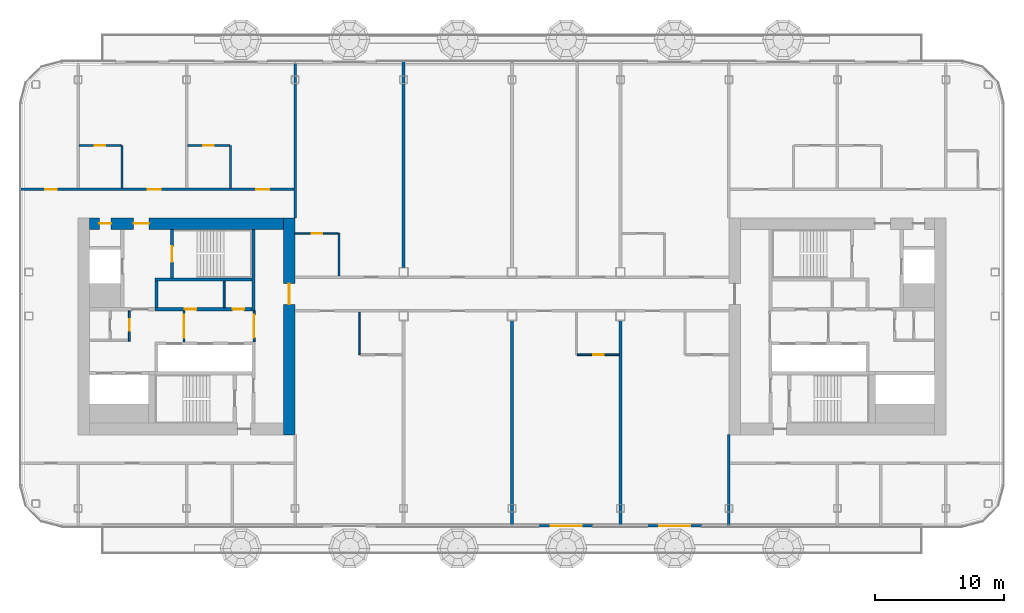
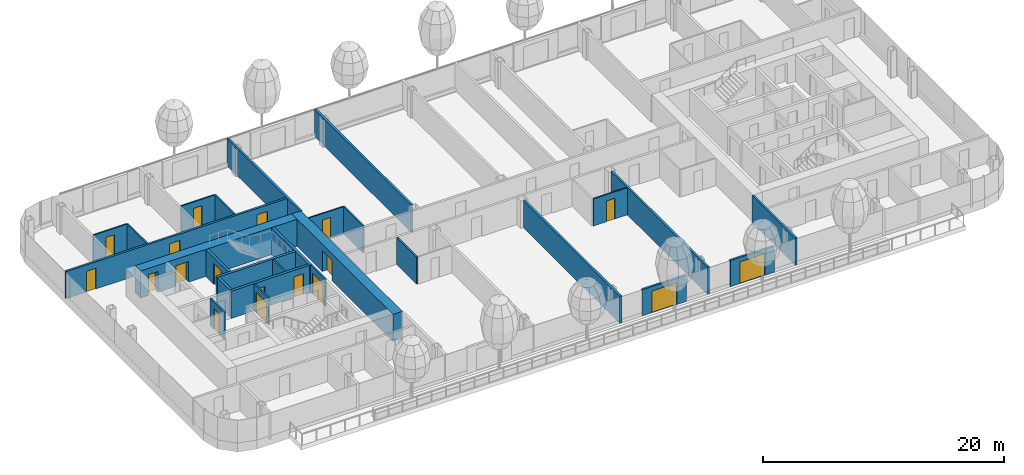
# One storey, part 12 of 28: 27 walls, 18 doors, 18 openings, 1 element without a shape of its own.
"""IFC4 building model written with IfcOpenShell, lengths in metres."""

from ifc_helpers import new_model, si_unit, direction, frame, frame_2d, origin, place, context, subcontext, project, spatial, rectangle, extrude, material, layer, layer_set, type_object, element, fill, aggregate, save


model = new_model("IFC4")

# Units and contexts
model_context = context("Model", 3, precision=1e-05, world=origin(), true_north=direction((0.0, 1.0)))
body_context = subcontext(model_context, "Body", "Model", "MODEL_VIEW")
ifc_project = project(units=[si_unit("LENGTHUNIT", "METRE"), si_unit("AREAUNIT", "SQUARE_METRE"), si_unit("VOLUMEUNIT", "CUBIC_METRE"), si_unit("PLANEANGLEUNIT", "RADIAN"), si_unit("MASSUNIT", "GRAM", prefix="KILO")], contexts=[model_context])

# Site, building, storey
site_placement = place(None, origin())
site = spatial("IfcSite", under=ifc_project, at=site_placement, CompositionType="ELEMENT")
building_placement = place(site_placement, origin())
building = spatial("IfcBuilding", under=site, at=building_placement, Name="Hakoniwa Tower and Hamabe Station Hall", CompositionType="ELEMENT")
storey_placement = place(building_placement, frame((0.0, 0.0, 218.60009765625)))
storey = spatial("IfcBuildingStorey", under=building, at=storey_placement, Name="L62", CompositionType="ELEMENT", Elevation=218.60009765625)

# Wall, opening, door
ifc_material_1 = material(Name="Gypsum board partition", Category="gypsum")
ifc_layer_1 = layer(ifc_material_1, 0.125)
ifc_layer_set_1 = layer_set([ifc_layer_1], Name="Bathroom Partition 125")
wall_type_1 = type_object("IfcWallType", Name="Bathroom Partition 125", PredefinedType="PARTITIONING", material=ifc_layer_set_1)
wall_1_placement = place(storey_placement, frame((5.0625, -2.199951171875, 0.0), z_axis=(0.0, 0.0, 1.0), x_axis=(1.0, 0.0, 0.0)))
wall_1 = element("IfcWall", 1, at=wall_1_placement, inside=storey, type_object=wall_type_1, Name="GW-L62-004", PredefinedType="PARTITIONING", context=body_context, shape_type="SweptSolid", body=[
    extrude(rectangle(XDim=3.237548828125, YDim=0.125, at=frame_2d((1.61865234375, 0.0))), origin(), (0.0, 0.0, 1.0), 2.75),
])
opening_1_placement = place(wall_1_placement, frame((1.237548828125, 0.0, 0.0)))
opening_1 = element("IfcOpeningElement", 2, at=opening_1_placement, cuts=wall_1, Name="Opening GD-G4A2-10", PredefinedType="OPENING", context=body_context, shape_type="SweptSolid", body=[
    extrude(rectangle(XDim=0.800048828125, YDim=2.10009765625, at=frame_2d((0.39990234375, 1.050048828125))), frame((0.0, 0.072509765625, 0.0), z_axis=(0.0, -1.0, 0.0), x_axis=(1.0, 0.0, 0.0)), (0.0, 0.0, 1.0), 0.14501953125),
])
ifc_material_2 = material(Name="Timber door leaf", Category="wood")
door_type_1 = type_object("IfcDoorType", Name="Bathroom Door 800", OperationType="SINGLE_SWING_LEFT", PredefinedType="DOOR", material=ifc_material_2)
door_1_placement = place(opening_1_placement, origin())
door_1 = element("IfcDoor", 3, at=door_1_placement, inside=storey, type_object=door_type_1, Name="Door GD-G4A2-10", OperationType="SINGLE_SWING_RIGHT", OverallHeight=2.10009765625, OverallWidth=0.800048828125, PredefinedType="DOOR", context=body_context, shape_type="SweptSolid", body=[
    extrude(rectangle(XDim=0.800048828125, YDim=2.10009765625, at=frame_2d((0.39990234375, 1.050048828125))), frame((0.0, 0.02490234375, 0.0), z_axis=(0.0, -1.0, 0.0), x_axis=(1.0, 0.0, 0.0)), (0.0, 0.0, 1.0), 0.050048828125),
])
fill(opening_1, door_1)

wall_2_placement = place(storey_placement, frame((-16.81005859375, 7.199951171875, 0.0), z_axis=(0.0, 0.0, 1.0), x_axis=(1.0, 0.0, 0.0)))
wall_2 = element("IfcWall", 4, at=wall_2_placement, inside=storey, type_object=wall_type_1, Name="GW-L62-008", PredefinedType="PARTITIONING", context=body_context, shape_type="SweptSolid", body=[
    extrude(rectangle(XDim=3.34765625, YDim=0.125, at=frame_2d((1.673828125, 0.0))), origin(), (0.0, 0.0, 1.0), 2.75),
])
opening_2_placement = place(wall_2_placement, frame((1.31005859375, 0.0, 0.0)))
opening_2 = element("IfcOpeningElement", 5, at=opening_2_placement, cuts=wall_2, Name="Opening GD-G4A2-21", PredefinedType="OPENING", context=body_context, shape_type="SweptSolid", body=[
    extrude(rectangle(XDim=0.800048828125, YDim=2.10009765625, at=frame_2d((0.39990234375, 1.050048828125))), frame((0.0, 0.072509765625, 0.0), z_axis=(0.0, -1.0, 0.0), x_axis=(1.0, 0.0, 0.0)), (0.0, 0.0, 1.0), 0.14501953125),
])
door_2_placement = place(opening_2_placement, origin())
door_2 = element("IfcDoor", 6, at=door_2_placement, inside=storey, type_object=door_type_1, Name="Door GD-G4A2-21", OperationType="SINGLE_SWING_RIGHT", OverallHeight=2.10009765625, OverallWidth=0.800048828125, PredefinedType="DOOR", context=body_context, shape_type="SweptSolid", body=[
    extrude(rectangle(XDim=0.800048828125, YDim=2.10009765625, at=frame_2d((0.39990234375, 1.050048828125))), frame((0.0, 0.02490234375, 0.0), z_axis=(0.0, -1.0, 0.0), x_axis=(1.0, 0.0, 0.0)), (0.0, 0.0, 1.0), 0.050048828125),
])
fill(opening_2, door_2)

wall_3_placement = place(storey_placement, frame((-33.5, 14.0, 0.0), z_axis=(0.0, 0.0, 1.0), x_axis=(1.0, 0.0, 0.0)))
wall_3 = element("IfcWall", 7, at=wall_3_placement, inside=storey, type_object=wall_type_1, Name="GW-L62-013", PredefinedType="PARTITIONING", context=body_context, shape_type="SweptSolid", body=[
    extrude(rectangle(XDim=3.237548828125, YDim=0.125, at=frame_2d((1.61865234375, 0.0))), origin(), (0.0, 0.0, 1.0), 2.75),
])
opening_3_placement = place(wall_3_placement, frame((1.199951171875, 0.0, 0.0)))
opening_3 = element("IfcOpeningElement", 8, at=opening_3_placement, cuts=wall_3, Name="Opening GD-G4A2-29", PredefinedType="OPENING", context=body_context, shape_type="SweptSolid", body=[
    extrude(rectangle(XDim=0.800048828125, YDim=2.10009765625, at=frame_2d((0.39990234375, 1.050048828125))), frame((0.0, 0.072509765625, 0.0), z_axis=(0.0, -1.0, 0.0), x_axis=(1.0, 0.0, 0.0)), (0.0, 0.0, 1.0), 0.14501953125),
])
door_3_placement = place(opening_3_placement, origin())
door_3 = element("IfcDoor", 9, at=door_3_placement, inside=storey, type_object=door_type_1, Name="Door GD-G4A2-29", OperationType="SINGLE_SWING_LEFT", OverallHeight=2.10009765625, OverallWidth=0.800048828125, PredefinedType="DOOR", context=body_context, shape_type="SweptSolid", body=[
    extrude(rectangle(XDim=0.800048828125, YDim=2.10009765625, at=frame_2d((0.39990234375, 1.050048828125))), frame((0.0, 0.02490234375, 0.0), z_axis=(0.0, -1.0, 0.0), x_axis=(1.0, 0.0, 0.0)), (0.0, 0.0, 1.0), 0.050048828125),
])
fill(opening_3, door_3)

wall_4_placement = place(storey_placement, frame((-25.10009765625, 14.0, 0.0), z_axis=(0.0, 0.0, 1.0), x_axis=(1.0, 0.0, 0.0)))
wall_4 = element("IfcWall", 10, at=wall_4_placement, inside=storey, type_object=wall_type_1, Name="GW-L62-014", PredefinedType="PARTITIONING", context=body_context, shape_type="SweptSolid", body=[
    extrude(rectangle(XDim=3.237548828125, YDim=0.125, at=frame_2d((1.61865234375, 0.0))), origin(), (0.0, 0.0, 1.0), 2.75),
])
opening_4_placement = place(wall_4_placement, frame((1.199951171875, 0.0, 0.0)))
opening_4 = element("IfcOpeningElement", 11, at=opening_4_placement, cuts=wall_4, Name="Opening GD-G4A2-30", PredefinedType="OPENING", context=body_context, shape_type="SweptSolid", body=[
    extrude(rectangle(XDim=0.800048828125, YDim=2.10009765625, at=frame_2d((0.39990234375, 1.050048828125))), frame((0.0, 0.072509765625, 0.0), z_axis=(0.0, -1.0, 0.0), x_axis=(1.0, 0.0, 0.0)), (0.0, 0.0, 1.0), 0.14501953125),
])
door_4_placement = place(opening_4_placement, origin())
door_4 = element("IfcDoor", 12, at=door_4_placement, inside=storey, type_object=door_type_1, Name="Door GD-G4A2-30", OperationType="SINGLE_SWING_LEFT", OverallHeight=2.10009765625, OverallWidth=0.800048828125, PredefinedType="DOOR", context=body_context, shape_type="SweptSolid", body=[
    extrude(rectangle(XDim=0.800048828125, YDim=2.10009765625, at=frame_2d((0.39990234375, 1.050048828125))), frame((0.0, 0.02490234375, 0.0), z_axis=(0.0, -1.0, 0.0), x_axis=(1.0, 0.0, 0.0)), (0.0, 0.0, 1.0), 0.050048828125),
])
fill(opening_4, door_4)

# Walls
for number, where, z_axis, x_axis, name in (
    (13, (-30.199951171875, 10.699951171875, 0.0), (0.0, 0.0, 1.0), (0.0, 1.0, 0.0), "GW-L62-018"),
    (14, (-21.800048828125, 10.699951171875, 0.0), (0.0, 0.0, 1.0), (0.0, 1.0, 0.0), "GW-L62-021"),
    (15, (-13.39990234375, 3.89990234375, 0.0), (0.0, 0.0, 1.0), (0.0, 1.0, 0.0), "GW-L62-025"),
    (16, (-11.800048828125, -2.199951171875, 0.0), (0.0, 0.0, 1.0), (0.0, 1.0, 0.0), "GW-L62-026"),
):
    element("IfcWall", number, at=place(storey_placement, frame(where, z_axis=z_axis, x_axis=x_axis)), inside=storey, type_object=wall_type_1, Name=name, PredefinedType="PARTITIONING", context=body_context, shape_type="SweptSolid", body=[
        extrude(rectangle(XDim=3.300048828125, YDim=0.125, at=frame_2d((1.64990234375, 0.0))), origin(), (0.0, 0.0, 1.0), 2.75),
    ])

# Wall, opening, door
ifc_material_3 = material(Name="Gypsum board partition")
ifc_layer_2 = layer(ifc_material_3, 0.14990234375)
ifc_layer_set_2 = layer_set([ifc_layer_2], Name="CORE PARTITION 150 EI 60")
wall_type_2 = type_object("IfcWallType", Name="CORE PARTITION 150 EI 60", PredefinedType="PARTITIONING", material=ifc_layer_set_2)
wall_5_placement = place(storey_placement, frame((-19.97509765625, -1.199951171875, 0.0), z_axis=(0.0, 0.0, 1.0), x_axis=(0.0, 1.0, 0.0)))
wall_5 = element("IfcWall", 17, at=wall_5_placement, inside=storey, type_object=wall_type_2, Name="Core partition PL0 west", PredefinedType="PARTITIONING", context=body_context, shape_type="SweptSolid", body=[
    extrude(rectangle(XDim=2.39990234375, YDim=0.14990234375, at=frame_2d((1.199951171875, 0.0))), origin(), (0.0, 0.0, 1.0), 2.75),
])
opening_5_placement = place(wall_5_placement, frame((0.300048828125, 0.0, 0.0)))
opening_5 = element("IfcOpeningElement", 18, at=opening_5_placement, cuts=wall_5, Name="Opening CD-W-LP0-18", PredefinedType="OPENING", context=body_context, shape_type="SweptSolid", body=[
    extrude(rectangle(XDim=1.800048828125, YDim=2.10009765625, at=frame_2d((0.89990234375, 1.050048828125))), frame((0.0, 0.0849609375, 0.0), z_axis=(0.0, -1.0, 0.0), x_axis=(1.0, 0.0, 0.0)), (0.0, 0.0, 1.0), 0.169921875),
])
ifc_material_4 = material(Name="Steel fire door", Category="steel")
door_type_2 = type_object("IfcDoorType", Name="CORE DOOR 1800 FD60", OperationType="DOUBLE_DOOR_SINGLE_SWING", PredefinedType="DOOR", material=ifc_material_4)
door_5_placement = place(opening_5_placement, origin())
door_5 = element("IfcDoor", 19, at=door_5_placement, inside=storey, type_object=door_type_2, Name="Lift lobby partition door", OperationType="DOUBLE_DOOR_SINGLE_SWING", OverallHeight=2.10009765625, OverallWidth=1.800048828125, PredefinedType="DOOR", context=body_context, shape_type="SweptSolid", body=[
    extrude(rectangle(XDim=1.800048828125, YDim=2.10009765625, at=frame_2d((0.89990234375, 1.050048828125))), frame((0.0, 0.02490234375, 0.0), z_axis=(0.0, -1.0, 0.0), x_axis=(1.0, 0.0, 0.0)), (0.0, 0.0, 1.0), 0.050048828125),
])
fill(opening_5, door_5)

wall_6_placement = place(storey_placement, frame((-25.39990234375, -1.199951171875, 0.0), z_axis=(0.0, 0.0, 1.0), x_axis=(0.0, 1.0, 0.0)))
wall_6 = element("IfcWall", 20, at=wall_6_placement, inside=storey, type_object=wall_type_2, Name="Core partition PL1 west", PredefinedType="PARTITIONING", context=body_context, shape_type="SweptSolid", body=[
    extrude(rectangle(XDim=2.39990234375, YDim=0.14990234375, at=frame_2d((1.199951171875, 0.0))), origin(), (0.0, 0.0, 1.0), 2.75),
])
opening_6_placement = place(wall_6_placement, frame((0.300048828125, 0.0, 0.0)))
opening_6 = element("IfcOpeningElement", 21, at=opening_6_placement, cuts=wall_6, Name="Opening CD-W-LP1-18", PredefinedType="OPENING", context=body_context, shape_type="SweptSolid", body=[
    extrude(rectangle(XDim=1.800048828125, YDim=2.10009765625, at=frame_2d((0.89990234375, 1.050048828125))), frame((0.0, 0.0849609375, 0.0), z_axis=(0.0, -1.0, 0.0), x_axis=(1.0, 0.0, 0.0)), (0.0, 0.0, 1.0), 0.169921875),
])
door_6_placement = place(opening_6_placement, origin())
door_6 = element("IfcDoor", 22, at=door_6_placement, inside=storey, type_object=door_type_2, Name="Lift lobby partition door", OperationType="DOUBLE_DOOR_SINGLE_SWING", OverallHeight=2.10009765625, OverallWidth=1.800048828125, PredefinedType="DOOR", context=body_context, shape_type="SweptSolid", body=[
    extrude(rectangle(XDim=1.800048828125, YDim=2.10009765625, at=frame_2d((0.89990234375, 1.050048828125))), frame((0.0, 0.02490234375, 0.0), z_axis=(0.0, -1.0, 0.0), x_axis=(1.0, 0.0, 0.0)), (0.0, 0.0, 1.0), 0.050048828125),
])
fill(opening_6, door_6)

wall_7_placement = place(storey_placement, frame((-29.625, -1.14990234375, 0.0), z_axis=(0.0, 0.0, 1.0), x_axis=(0.0, 1.0, 0.0)))
wall_7 = element("IfcWall", 23, at=wall_7_placement, inside=storey, type_object=wall_type_2, Name="Core partition PW0 west", PredefinedType="PARTITIONING", context=body_context, shape_type="SweptSolid", body=[
    extrude(rectangle(XDim=2.349853515625, YDim=0.14990234375, at=frame_2d((1.1748046875, 0.0))), origin(), (0.0, 0.0, 1.0), 2.75),
])
opening_7_placement = place(wall_7_placement, frame((0.800048828125, 0.0, 0.0)))
opening_7 = element("IfcOpeningElement", 24, at=opening_7_placement, cuts=wall_7, Name="Opening CD-W-RM1-9", PredefinedType="OPENING", context=body_context, shape_type="SweptSolid", body=[
    extrude(rectangle(XDim=0.89990234375, YDim=2.10009765625, at=frame_2d((0.449951171875, 1.050048828125))), frame((0.0, 0.0849609375, 0.0), z_axis=(0.0, -1.0, 0.0), x_axis=(1.0, 0.0, 0.0)), (0.0, 0.0, 1.0), 0.169921875),
])
ifc_material_5 = material(Name="Steel fire door", Category="steel")
door_type_3 = type_object("IfcDoorType", Name="CORE DOOR 900 FD30", OperationType="NOTDEFINED", PredefinedType="DOOR", material=ifc_material_5)
door_7_placement = place(opening_7_placement, origin())
door_7 = element("IfcDoor", 25, at=door_7_placement, inside=storey, type_object=door_type_3, Name="Store room door", OperationType="SINGLE_SWING_RIGHT", OverallHeight=2.10009765625, OverallWidth=0.89990234375, PredefinedType="DOOR", context=body_context, shape_type="SweptSolid", body=[
    extrude(rectangle(XDim=0.89990234375, YDim=2.10009765625, at=frame_2d((0.449951171875, 1.050048828125))), frame((0.0, 0.02490234375, 0.0), z_axis=(0.0, -1.0, 0.0), x_axis=(1.0, 0.0, 0.0)), (0.0, 0.0, 1.0), 0.050048828125),
])
fill(opening_7, door_7)

# Wall
wall_8_placement = place(storey_placement, frame((-22.300048828125, 1.449951171875, 0.0), z_axis=(0.0, 0.0, 1.0), x_axis=(0.0, 1.0, 0.0)))
element("IfcWall", 26, at=wall_8_placement, inside=storey, type_object=wall_type_2, Name="Core partition PFLR0 west", PredefinedType="PARTITIONING", context=body_context, shape_type="SweptSolid", body=[
    extrude(rectangle(XDim=2.050048828125, YDim=0.14990234375, at=frame_2d((1.02490234375, 0.0))), origin(), (0.0, 0.0, 1.0), 2.75),
])

# Wall, opening, door
ifc_material_6 = material(Name="Concrete C60", Category="concrete")
ifc_layer_3 = layer(ifc_material_6, 0.89990234375)
ifc_layer_set_3 = layer_set([ifc_layer_3], Name="CORE WALL 900 C60")
wall_type_3 = type_object("IfcWallType", Name="CORE WALL 900 C60", PredefinedType="SHEAR", material=ifc_layer_set_3)
wall_9_placement = place(storey_placement, frame((-17.25, -8.39990234375, 0.0), z_axis=(0.0, 0.0, 1.0), x_axis=(0.0, 1.0, 0.0)))
wall_9 = element("IfcWall", 27, at=wall_9_placement, inside=storey, type_object=wall_type_3, Name="Core wall INNER west", PredefinedType="SHEAR", context=body_context, shape_type="SweptSolid", body=[
    extrude(rectangle(XDim=16.7998046875, YDim=0.89990234375, at=frame_2d((8.39990234375, 0.0))), origin(), (0.0, 0.0, 1.0), 2.75),
])
opening_8_placement = place(wall_9_placement, frame((10.10009765625, 0.0, 0.0)))
opening_8 = element("IfcOpeningElement", 28, at=opening_8_placement, cuts=wall_9, Name="Opening CD-W-IN1-16", PredefinedType="OPENING", context=body_context, shape_type="SweptSolid", body=[
    extrude(rectangle(XDim=1.60009765625, YDim=2.10009765625, at=frame_2d((0.800048828125, 1.050048828125))), frame((0.0, 0.4599609375, 0.0), z_axis=(0.0, -1.0, 0.0), x_axis=(1.0, 0.0, 0.0)), (0.0, 0.0, 1.0), 0.919921875),
])
ifc_material_7 = material(Name="Steel fire door", Category="steel")
door_type_4 = type_object("IfcDoorType", Name="CORE DOOR 1600 FD60", OperationType="DOUBLE_DOOR_SINGLE_SWING", PredefinedType="DOOR", material=ifc_material_7)
door_8_placement = place(opening_8_placement, origin())
door_8 = element("IfcDoor", 29, at=door_8_placement, inside=storey, type_object=door_type_4, Name="Lift lobby door", OperationType="DOUBLE_DOOR_SINGLE_SWING", OverallHeight=2.10009765625, OverallWidth=1.60009765625, PredefinedType="DOOR", context=body_context, shape_type="SweptSolid", body=[
    extrude(rectangle(XDim=1.60009765625, YDim=2.10009765625, at=frame_2d((0.800048828125, 1.050048828125))), frame((0.0, 0.02490234375, 0.0), z_axis=(0.0, -1.0, 0.0), x_axis=(1.0, 0.0, 0.0)), (0.0, 0.0, 1.0), 0.050048828125),
])
fill(opening_8, door_8)

# Wall, openings, doors
wall_10_placement = place(storey_placement, frame((-32.699951171875, 7.949951171875, 0.0), z_axis=(0.0, 0.0, 1.0), x_axis=(1.0, 0.0, 0.0)))
wall_10 = element("IfcWall", 30, at=wall_10_placement, inside=storey, type_object=wall_type_3, Name="Core wall NORTH west", PredefinedType="SHEAR", context=body_context, shape_type="SweptSolid", body=[
    extrude(rectangle(XDim=15.0, YDim=0.89990234375, at=frame_2d((7.5, 0.0))), origin(), (0.0, 0.0, 1.0), 2.75),
])
opening_9_placement = place(wall_10_placement, frame((3.39990234375, 0.0, 0.0)))
opening_9 = element("IfcOpeningElement", 31, at=opening_9_placement, cuts=wall_10, Name="Opening CD-W-FN1-12", PredefinedType="OPENING", context=body_context, shape_type="SweptSolid", body=[
    extrude(rectangle(XDim=1.199951171875, YDim=2.10009765625, at=frame_2d((0.60009765625, 1.050048828125))), frame((0.0, 0.4599609375, 0.0), z_axis=(0.0, -1.0, 0.0), x_axis=(1.0, 0.0, 0.0)), (0.0, 0.0, 1.0), 0.919921875),
])
opening_10_placement = place(wall_10_placement, frame((0.75, 0.0, 0.0)))
opening_10 = element("IfcOpeningElement", 32, at=opening_10_placement, cuts=wall_10, Name="Opening CD-W-FN2-9", PredefinedType="OPENING", context=body_context, shape_type="SweptSolid", body=[
    extrude(rectangle(XDim=0.89990234375, YDim=2.10009765625, at=frame_2d((0.449951171875, 1.050048828125))), frame((0.0, 0.4599609375, 0.0), z_axis=(0.0, -1.0, 0.0), x_axis=(1.0, 0.0, 0.0)), (0.0, 0.0, 1.0), 0.919921875),
])
ifc_material_8 = material(Name="Steel fire door", Category="steel")
door_type_5 = type_object("IfcDoorType", Name="CORE DOOR 1200 FD60", OperationType="DOUBLE_DOOR_SINGLE_SWING", PredefinedType="DOOR", material=ifc_material_8)
door_9_placement = place(opening_9_placement, origin())
door_9 = element("IfcDoor", 33, at=door_9_placement, inside=storey, type_object=door_type_5, Name="Stair vestibule door to the fire-fighting lobby", OperationType="DOUBLE_DOOR_SINGLE_SWING", OverallHeight=2.10009765625, OverallWidth=1.199951171875, PredefinedType="DOOR", context=body_context, shape_type="SweptSolid", body=[
    extrude(rectangle(XDim=1.199951171875, YDim=2.10009765625, at=frame_2d((0.60009765625, 1.050048828125))), frame((0.0, 0.02490234375, 0.0), z_axis=(0.0, -1.0, 0.0), x_axis=(1.0, 0.0, 0.0)), (0.0, 0.0, 1.0), 0.050048828125),
])
fill(opening_9, door_9)
door_10_placement = place(opening_10_placement, origin())
door_10 = element("IfcDoor", 34, at=door_10_placement, inside=storey, type_object=door_type_3, Name="Riser access door", OperationType="SINGLE_SWING_LEFT", OverallHeight=2.10009765625, OverallWidth=0.89990234375, PredefinedType="DOOR", context=body_context, shape_type="SweptSolid", body=[
    extrude(rectangle(XDim=0.89990234375, YDim=2.10009765625, at=frame_2d((0.449951171875, 1.050048828125))), frame((0.0, 0.02490234375, 0.0), z_axis=(0.0, -1.0, 0.0), x_axis=(1.0, 0.0, 0.0)), (0.0, 0.0, 1.0), 0.050048828125),
])
fill(opening_10, door_10)

# Wall
ifc_material_9 = material(Name="Concrete C60", Category="concrete")
ifc_layer_4 = layer(ifc_material_9, 0.25)
ifc_layer_set_4 = layer_set([ifc_layer_4], Name="CORE WEB WALL 250 C60")
wall_type_4 = type_object("IfcWallType", Name="CORE WEB WALL 250 C60", PredefinedType="SHEAR", material=ifc_layer_set_4)
wall_11_placement = place(storey_placement, frame((-20.02490234375, 1.199951171875, 0.0), z_axis=(0.0, 0.0, 1.0), x_axis=(0.0, 1.0, 0.0)))
element("IfcWall", 35, at=wall_11_placement, inside=storey, type_object=wall_type_4, Name="Core wall W1N west", PredefinedType="SHEAR", context=body_context, shape_type="SweptSolid", body=[
    extrude(rectangle(XDim=6.300048828125, YDim=0.25, at=frame_2d((3.14990234375, 0.0))), origin(), (0.0, 0.0, 1.0), 2.75),
])

# Wall, openings, doors
wall_12_placement = place(storey_placement, frame((-27.64990234375, 1.324951171875, 0.0), z_axis=(0.0, 0.0, 1.0), x_axis=(1.0, 0.0, 0.0)))
wall_12 = element("IfcWall", 36, at=wall_12_placement, inside=storey, type_object=wall_type_4, Name="Core wall NF west", PredefinedType="SHEAR", context=body_context, shape_type="SweptSolid", body=[
    extrude(rectangle(XDim=7.5, YDim=0.25, at=frame_2d((3.75, 0.0))), origin(), (0.0, 0.0, 1.0), 2.75),
])
opening_11_placement = place(wall_12_placement, frame((6.012451171875, 0.0, 0.0)))
opening_11 = element("IfcOpeningElement", 37, at=opening_11_placement, cuts=wall_12, Name="Opening CD-W-FRLR0-9", PredefinedType="OPENING", context=body_context, shape_type="SweptSolid", body=[
    extrude(rectangle(XDim=0.89990234375, YDim=2.10009765625, at=frame_2d((0.449951171875, 1.050048828125))), frame((0.0, 0.135009765625, 0.0), z_axis=(0.0, -1.0, 0.0), x_axis=(1.0, 0.0, 0.0)), (0.0, 0.0, 1.0), 0.27001953125),
])
opening_12_placement = place(wall_12_placement, frame((2.3125, 0.0, 0.0)))
opening_12 = element("IfcOpeningElement", 38, at=opening_12_placement, cuts=wall_12, Name="Opening CD-W-FRLR1-9", PredefinedType="OPENING", context=body_context, shape_type="SweptSolid", body=[
    extrude(rectangle(XDim=0.89990234375, YDim=2.10009765625, at=frame_2d((0.449951171875, 1.050048828125))), frame((0.0, 0.135009765625, 0.0), z_axis=(0.0, -1.0, 0.0), x_axis=(1.0, 0.0, 0.0)), (0.0, 0.0, 1.0), 0.27001953125),
])
door_11_placement = place(opening_11_placement, origin())
door_11 = element("IfcDoor", 39, at=door_11_placement, inside=storey, type_object=door_type_3, Name="Store room door", OperationType="SINGLE_SWING_RIGHT", OverallHeight=2.10009765625, OverallWidth=0.89990234375, PredefinedType="DOOR", context=body_context, shape_type="SweptSolid", body=[
    extrude(rectangle(XDim=0.89990234375, YDim=2.10009765625, at=frame_2d((0.449951171875, 1.050048828125))), frame((0.0, 0.02490234375, 0.0), z_axis=(0.0, -1.0, 0.0), x_axis=(1.0, 0.0, 0.0)), (0.0, 0.0, 1.0), 0.050048828125),
])
fill(opening_11, door_11)
door_12_placement = place(opening_12_placement, origin())
door_12 = element("IfcDoor", 40, at=door_12_placement, inside=storey, type_object=door_type_3, Name="Store room door", OperationType="SINGLE_SWING_RIGHT", OverallHeight=2.10009765625, OverallWidth=0.89990234375, PredefinedType="DOOR", context=body_context, shape_type="SweptSolid", body=[
    extrude(rectangle(XDim=0.89990234375, YDim=2.10009765625, at=frame_2d((0.449951171875, 1.050048828125))), frame((0.0, 0.02490234375, 0.0), z_axis=(0.0, -1.0, 0.0), x_axis=(1.0, 0.0, 0.0)), (0.0, 0.0, 1.0), 0.050048828125),
])
fill(opening_12, door_12)

# Walls
wall_13_placement = place(storey_placement, frame((-27.52490234375, 1.449951171875, 0.0), z_axis=(0.0, 0.0, 1.0), x_axis=(0.0, 1.0, 0.0)))
element("IfcWall", 41, at=wall_13_placement, inside=storey, type_object=wall_type_4, Name="Core wall NE west", PredefinedType="SHEAR", context=body_context, shape_type="SweptSolid", body=[
    extrude(rectangle(XDim=2.050048828125, YDim=0.25, at=frame_2d((1.02490234375, 0.0))), origin(), (0.0, 0.0, 1.0), 2.75),
])
wall_14_placement = place(storey_placement, frame((-27.64990234375, 3.625, 0.0), z_axis=(0.0, 0.0, 1.0), x_axis=(1.0, 0.0, 0.0)))
element("IfcWall", 42, at=wall_14_placement, inside=storey, type_object=wall_type_4, Name="Core wall NR west", PredefinedType="SHEAR", context=body_context, shape_type="SweptSolid", body=[
    extrude(rectangle(XDim=7.5, YDim=0.25, at=frame_2d((3.75, 0.0))), origin(), (0.0, 0.0, 1.0), 2.75),
])

# Wall, opening, door
wall_15_placement = place(storey_placement, frame((-26.324951171875, 3.75, 0.0), z_axis=(0.0, 0.0, 1.0), x_axis=(0.0, 1.0, 0.0)))
wall_15 = element("IfcWall", 43, at=wall_15_placement, inside=storey, type_object=wall_type_4, Name="Core wall NSE west", PredefinedType="SHEAR", context=body_context, shape_type="SweptSolid", body=[
    extrude(rectangle(XDim=3.75, YDim=0.25, at=frame_2d((1.875, 0.0))), origin(), (0.0, 0.0, 1.0), 2.75),
])
opening_13_placement = place(wall_15_placement, frame((1.25, 0.0, 0.0)))
opening_13 = element("IfcOpeningElement", 44, at=opening_13_placement, cuts=wall_15, Name="Opening CD-W-SN-12", PredefinedType="OPENING", context=body_context, shape_type="SweptSolid", body=[
    extrude(rectangle(XDim=1.199951171875, YDim=2.10009765625, at=frame_2d((0.60009765625, 1.050048828125))), frame((0.0, 0.135009765625, 0.0), z_axis=(0.0, -1.0, 0.0), x_axis=(1.0, 0.0, 0.0)), (0.0, 0.0, 1.0), 0.27001953125),
])
door_13_placement = place(opening_13_placement, origin())
door_13 = element("IfcDoor", 45, at=door_13_placement, inside=storey, type_object=door_type_5, Name="Escape stair door", OperationType="DOUBLE_DOOR_SINGLE_SWING", OverallHeight=2.10009765625, OverallWidth=1.199951171875, PredefinedType="DOOR", context=body_context, shape_type="SweptSolid", body=[
    extrude(rectangle(XDim=1.199951171875, YDim=2.10009765625, at=frame_2d((0.60009765625, 1.050048828125))), frame((0.0, 0.02490234375, 0.0), z_axis=(0.0, -1.0, 0.0), x_axis=(1.0, 0.0, 0.0)), (0.0, 0.0, 1.0), 0.050048828125),
])
fill(opening_13, door_13)

# Wall, openings, doors
ifc_material_10 = material(Name="Fire-rated gypsum board partition", Category="gypsum")
ifc_layer_5 = layer(ifc_material_10, 0.199951171875)
ifc_layer_set_5 = layer_set([ifc_layer_5], Name="Corridor Wall 200")
wall_type_5 = type_object("IfcWallType", Name="Corridor Wall 200", PredefinedType="PARTITIONING", material=ifc_layer_set_5)
wall_16_placement = place(storey_placement, frame((-38.10009765625, 10.60009765625, 0.0), z_axis=(0.0, 0.0, 1.0), x_axis=(1.0, 0.0, 0.0)))
wall_16 = element("IfcWall", 46, at=wall_16_placement, inside=storey, type_object=wall_type_5, Name="GW-L62-010", PredefinedType="PARTITIONING", context=body_context, shape_type="SweptSolid", body=[
    extrude(rectangle(XDim=21.300048828125, YDim=0.199951171875, at=frame_2d((10.64990234375, 0.0))), origin(), (0.0, 0.0, 1.0), 2.75),
])
opening_14_placement = place(wall_16_placement, frame((1.949951171875, 0.0, 0.0)))
opening_14 = element("IfcOpeningElement", 47, at=opening_14_placement, cuts=wall_16, Name="Opening GD-G4A2-23", PredefinedType="OPENING", context=body_context, shape_type="SweptSolid", body=[
    extrude(rectangle(XDim=0.89990234375, YDim=2.10009765625, at=frame_2d((0.449951171875, 1.050048828125))), frame((0.0, 0.10986328125, 0.0), z_axis=(0.0, -1.0, 0.0), x_axis=(1.0, 0.0, 0.0)), (0.0, 0.0, 1.0), 0.219970703125),
])
opening_15_placement = place(wall_16_placement, frame((9.89990234375, 0.0, 0.0)))
opening_15 = element("IfcOpeningElement", 48, at=opening_15_placement, cuts=wall_16, Name="Opening GD-G4A2-24", PredefinedType="OPENING", context=body_context, shape_type="SweptSolid", body=[
    extrude(rectangle(XDim=1.0, YDim=2.10009765625, at=frame_2d((0.5, 1.050048828125))), frame((0.0, 0.10986328125, 0.0), z_axis=(0.0, -1.0, 0.0), x_axis=(1.0, 0.0, 0.0)), (0.0, 0.0, 1.0), 0.219970703125),
])
opening_16_placement = place(wall_16_placement, frame((18.300048828125, 0.0, 0.0)))
opening_16 = element("IfcOpeningElement", 49, at=opening_16_placement, cuts=wall_16, Name="Opening GD-G4A2-25", PredefinedType="OPENING", context=body_context, shape_type="SweptSolid", body=[
    extrude(rectangle(XDim=1.0, YDim=2.10009765625, at=frame_2d((0.5, 1.050048828125))), frame((0.0, 0.10986328125, 0.0), z_axis=(0.0, -1.0, 0.0), x_axis=(1.0, 0.0, 0.0)), (0.0, 0.0, 1.0), 0.219970703125),
])
ifc_material_11 = material(Name="Timber door leaf", Category="wood")
door_type_6 = type_object("IfcDoorType", Name="Guest Entrance Door 1000", OperationType="SINGLE_SWING_LEFT", PredefinedType="DOOR", material=ifc_material_11)
door_14_placement = place(opening_15_placement, origin())
door_14 = element("IfcDoor", 50, at=door_14_placement, inside=storey, type_object=door_type_6, Name="Door GD-G4A2-24", OperationType="SINGLE_SWING_LEFT", OverallHeight=2.10009765625, OverallWidth=1.0, PredefinedType="DOOR", context=body_context, shape_type="SweptSolid", body=[
    extrude(rectangle(XDim=1.0, YDim=2.10009765625, at=frame_2d((0.5, 1.050048828125))), frame((0.0, 0.02490234375, 0.0), z_axis=(0.0, -1.0, 0.0), x_axis=(1.0, 0.0, 0.0)), (0.0, 0.0, 1.0), 0.050048828125),
])
fill(opening_15, door_14)
door_15_placement = place(opening_16_placement, origin())
door_15 = element("IfcDoor", 51, at=door_15_placement, inside=storey, type_object=door_type_6, Name="Door GD-G4A2-25", OperationType="SINGLE_SWING_RIGHT", OverallHeight=2.10009765625, OverallWidth=1.0, PredefinedType="DOOR", context=body_context, shape_type="SweptSolid", body=[
    extrude(rectangle(XDim=1.0, YDim=2.10009765625, at=frame_2d((0.5, 1.050048828125))), frame((0.0, 0.02490234375, 0.0), z_axis=(0.0, -1.0, 0.0), x_axis=(1.0, 0.0, 0.0)), (0.0, 0.0, 1.0), 0.050048828125),
])
fill(opening_16, door_15)
ifc_material_12 = material(Name="Timber door leaf", Category="wood")
door_type_7 = type_object("IfcDoorType", Name="Service Door 900", OperationType="SINGLE_SWING_LEFT", PredefinedType="DOOR", material=ifc_material_12)
door_16_placement = place(opening_14_placement, origin())
door_16 = element("IfcDoor", 52, at=door_16_placement, inside=storey, type_object=door_type_7, Name="Door GD-G4A2-23", OperationType="SINGLE_SWING_LEFT", OverallHeight=2.10009765625, OverallWidth=0.89990234375, PredefinedType="DOOR", context=body_context, shape_type="SweptSolid", body=[
    extrude(rectangle(XDim=0.89990234375, YDim=2.10009765625, at=frame_2d((0.449951171875, 1.050048828125))), frame((0.0, 0.02490234375, 0.0), z_axis=(0.0, -1.0, 0.0), x_axis=(1.0, 0.0, 0.0)), (0.0, 0.0, 1.0), 0.050048828125),
])
fill(opening_14, door_16)

# Curtain wall, walls, openings, doors
ifc_material_13 = material(Name="Dark low-e laminated glass", Category="glass")
ifc_layer_6 = layer(ifc_material_13, 0.199951171875)
ifc_layer_set_6 = layer_set([ifc_layer_6], Name="CW-1 UNITISED GUEST")
curtain_wall_type = type_object("IfcCurtainWallType", Name="CW-1 UNITISED GUEST", PredefinedType="NOTDEFINED", material=ifc_layer_set_6)
curtain_wall_placement = place(storey_placement, origin())
curtain_wall = element("IfcCurtainWall", 53, at=curtain_wall_placement, inside=storey, type_object=curtain_wall_type, Name="CW-1 curtain wall", PredefinedType="NOTDEFINED")
ifc_material_14 = material(Name="Dark glass-faced aluminium panel", Category="aluminium")
ifc_layer_7 = layer(ifc_material_14, 0.199951171875)
ifc_layer_set_7 = layer_set([ifc_layer_7], Name="DOOR BAY WALL")
wall_type_6 = type_object("IfcWallType", Name="DOOR BAY WALL", PredefinedType="NOTDEFINED", material=ifc_layer_set_7)
wall_17_placement = place(storey_placement, frame((2.090087890625, -15.449951171875, 0.0), z_axis=(0.0, 0.0, 1.0), x_axis=(1.0, 0.0, 0.0)))
wall_17 = element("IfcWall", 54, at=wall_17_placement, type_object=wall_type_6, Name="Door bay wall", PredefinedType="NOTDEFINED", context=body_context, shape_type="SweptSolid", body=[
    extrude(rectangle(XDim=4.219970703125, YDim=0.199951171875, at=frame_2d((2.10986328125, 0.0))), origin(), (0.0, 0.0, 1.0), 2.64990234375),
])
opening_17_placement = place(wall_17_placement, frame((0.909912109375, 0.0, 0.0)))
opening_17 = element("IfcOpeningElement", 55, at=opening_17_placement, cuts=wall_17, Name="Opening BD-S07-4", PredefinedType="OPENING", context=body_context, shape_type="SweptSolid", body=[
    extrude(rectangle(XDim=2.39990234375, YDim=2.199951171875, at=frame_2d((1.199951171875, 1.10009765625))), frame((0.0, 0.10986328125, 0.0), z_axis=(0.0, -1.0, 0.0), x_axis=(1.0, 0.0, 0.0)), (0.0, 0.0, 1.0), 0.219970703125),
])
ifc_material_15 = material(Name="Dark low-e laminated glass", Category="glass")
door_type_8 = type_object("IfcDoorType", Name="BALCONY SLIDING DOOR 2400X2200", OperationType="SLIDING_TO_LEFT", PredefinedType="DOOR", material=ifc_material_15)
door_17_placement = place(opening_17_placement, frame((2.39990234375, 0.0, 0.0), z_axis=(0.0, 0.0, 1.0), x_axis=(-1.0, 0.0, 0.0)))
door_17 = element("IfcDoor", 56, at=door_17_placement, inside=storey, type_object=door_type_8, Name="Balcony sliding door", OperationType="SLIDING_TO_LEFT", OverallHeight=2.199951171875, OverallWidth=2.39990234375, PredefinedType="DOOR", context=body_context, shape_type="SweptSolid", body=[
    extrude(rectangle(XDim=2.39990234375, YDim=2.199951171875, at=frame_2d((1.199951171875, 1.10009765625))), frame((0.0, 0.02490234375, 0.0), z_axis=(0.0, -1.0, 0.0), x_axis=(1.0, 0.0, 0.0)), (0.0, 0.0, 1.0), 0.050048828125),
])
fill(opening_17, door_17)
wall_18_placement = place(storey_placement, frame((10.489990234375, -15.449951171875, 0.0), z_axis=(0.0, 0.0, 1.0), x_axis=(1.0, 0.0, 0.0)))
wall_18 = element("IfcWall", 57, at=wall_18_placement, type_object=wall_type_6, Name="Door bay wall", PredefinedType="NOTDEFINED", context=body_context, shape_type="SweptSolid", body=[
    extrude(rectangle(XDim=4.219970703125, YDim=0.199951171875, at=frame_2d((2.10986328125, 0.0))), origin(), (0.0, 0.0, 1.0), 2.64990234375),
])
opening_18_placement = place(wall_18_placement, frame((0.909912109375, 0.0, 0.0)))
opening_18 = element("IfcOpeningElement", 58, at=opening_18_placement, cuts=wall_18, Name="Opening BD-S07-5", PredefinedType="OPENING", context=body_context, shape_type="SweptSolid", body=[
    extrude(rectangle(XDim=2.39990234375, YDim=2.199951171875, at=frame_2d((1.199951171875, 1.10009765625))), frame((0.0, 0.10986328125, 0.0), z_axis=(0.0, -1.0, 0.0), x_axis=(1.0, 0.0, 0.0)), (0.0, 0.0, 1.0), 0.219970703125),
])
door_18_placement = place(opening_18_placement, frame((2.39990234375, 0.0, 0.0), z_axis=(0.0, 0.0, 1.0), x_axis=(-1.0, 0.0, 0.0)))
door_18 = element("IfcDoor", 59, at=door_18_placement, inside=storey, type_object=door_type_8, Name="Balcony sliding door", OperationType="SLIDING_TO_LEFT", OverallHeight=2.199951171875, OverallWidth=2.39990234375, PredefinedType="DOOR", context=body_context, shape_type="SweptSolid", body=[
    extrude(rectangle(XDim=2.39990234375, YDim=2.199951171875, at=frame_2d((1.199951171875, 1.10009765625))), frame((0.0, 0.02490234375, 0.0), z_axis=(0.0, -1.0, 0.0), x_axis=(1.0, 0.0, 0.0)), (0.0, 0.0, 1.0), 0.050048828125),
])
fill(opening_18, door_18)
aggregate(curtain_wall, [wall_17, wall_18])

# Walls
ifc_material_16 = material(Name="Fire-rated gypsum board partition", Category="gypsum")
ifc_layer_8 = layer(ifc_material_16, 0.199951171875)
ifc_layer_set_8 = layer_set([ifc_layer_8], Name="Party Wall 200")
wall_type_7 = type_object("IfcWallType", Name="Party Wall 200", PredefinedType="PARTITIONING", material=ifc_layer_set_8)
wall_19_placement = place(storey_placement, frame((-16.800048828125, 8.389892578125, 0.0), z_axis=(0.0, 0.0, 1.0), x_axis=(0.0, 1.0, 0.0)))
element("IfcWall", 60, at=wall_19_placement, inside=storey, type_object=wall_type_7, Name="GW-L62-024", PredefinedType="PARTITIONING", context=body_context, shape_type="SweptSolid", body=[
    extrude(rectangle(XDim=12.16015625, YDim=0.199951171875, at=frame_2d((6.080078125, 0.0))), origin(), (0.0, 0.0, 1.0), 2.75),
])
for number, where, z_axis, x_axis, name in (
    (61, (-8.39990234375, 4.5400390625, 0.0), (0.0, 0.0, 1.0), (0.0, 1.0, 0.0), "GW-L62-028"),
    (62, (0.0, -15.550048828125, 0.0), (0.0, 0.0, 1.0), (0.0, 1.0, 0.0), "GW-L62-029"),
    (63, (8.39990234375, -15.550048828125, 0.0), (0.0, 0.0, 1.0), (0.0, 1.0, 0.0), "GW-L62-033"),
):
    element("IfcWall", number, at=place(storey_placement, frame(where, z_axis=z_axis, x_axis=x_axis)), inside=storey, type_object=wall_type_7, Name=name, PredefinedType="PARTITIONING", context=body_context, shape_type="SweptSolid", body=[
        extrude(rectangle(XDim=16.010009765625, YDim=0.199951171875, at=frame_2d((8.0048828125, 0.0))), origin(), (0.0, 0.0, 1.0), 2.75),
    ])
wall_20_placement = place(storey_placement, frame((16.800048828125, -15.550048828125, 0.0), z_axis=(0.0, 0.0, 1.0), x_axis=(0.0, 1.0, 0.0)))
element("IfcWall", 64, at=wall_20_placement, inside=storey, type_object=wall_type_7, Name="GW-L62-037", PredefinedType="PARTITIONING", context=body_context, shape_type="SweptSolid", body=[
    extrude(rectangle(XDim=7.16015625, YDim=0.199951171875, at=frame_2d((3.580078125, 0.0))), origin(), (0.0, 0.0, 1.0), 2.75),
])

save(model, "model.ifc")
